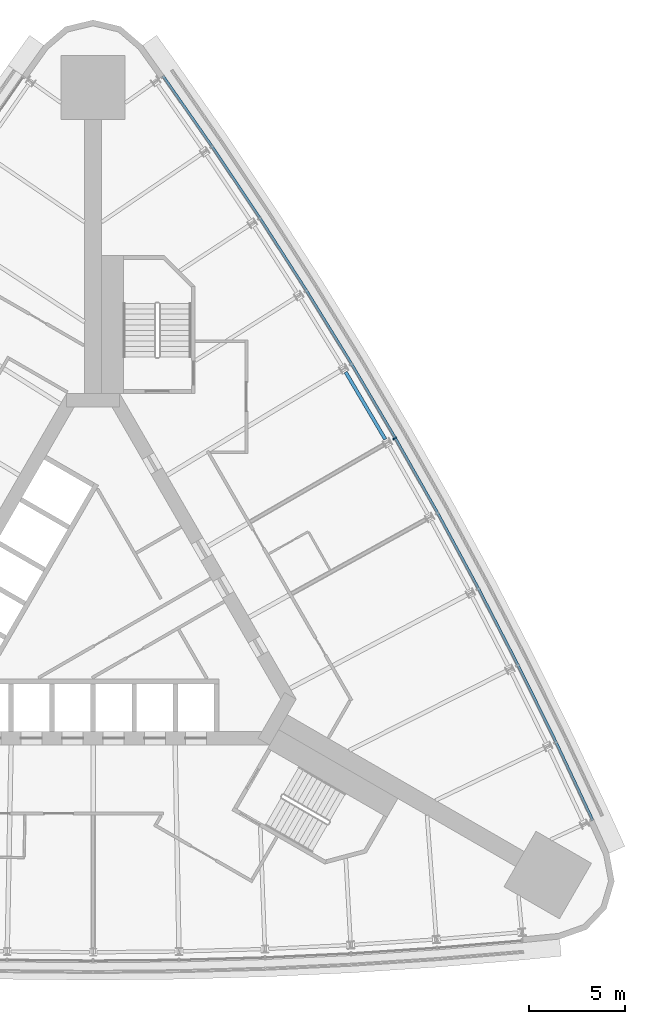
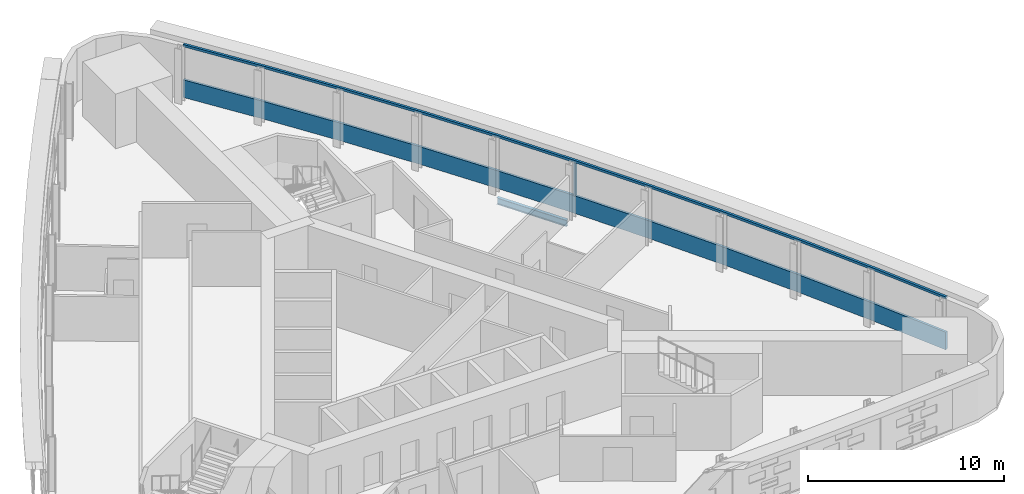
# One storey, part 7 of 14: 3 members, 1 beam, 1 element without a shape of its own.
"""IFC4 building model written with IfcOpenShell, lengths in metres."""

from ifc_helpers import new_model, si_unit, direction, frame, origin, origin_2d, place, context, subcontext, project, spatial, polyline, rectangle, i_section, outline, extrude, material, material_profile, profile_set, type_object, element, aggregate, save


model = new_model("IFC4")

# Units and contexts
model_context = context("Model", 3, precision=1e-05, world=origin(), true_north=direction((0.0, 1.0)))
body_context = subcontext(model_context, "Body", "Model", "MODEL_VIEW")
ifc_project = project(units=[si_unit("LENGTHUNIT", "METRE"), si_unit("AREAUNIT", "SQUARE_METRE"), si_unit("VOLUMEUNIT", "CUBIC_METRE"), si_unit("PLANEANGLEUNIT", "RADIAN"), si_unit("MASSUNIT", "GRAM", prefix="KILO")], contexts=[model_context])

# Site, building, storey
site_placement = place(None, origin())
site = spatial("IfcSite", under=ifc_project, at=site_placement, CompositionType="ELEMENT")
building_placement = place(site_placement, origin())
building = spatial("IfcBuilding", under=site, at=building_placement, Name="Noor Cloister Tower", CompositionType="ELEMENT")
storey_placement = place(building_placement, frame((0.0, 0.0, 42.0)))
storey = spatial("IfcBuildingStorey", under=building, at=storey_placement, Name="L10", CompositionType="ELEMENT", Elevation=42.0)

# Curtain wall, members
ifc_material_1 = material(Name="Aluminium 6063-T6 anodised", Category="aluminium")
curtain_wall_type = type_object("IfcCurtainWallType", Name="Ribbon curtain wall, lower tower CW1", PredefinedType="NOTDEFINED", material=ifc_material_1)
curtain_wall_placement = place(storey_placement, origin())
curtain_wall = element("IfcCurtainWall", 1, at=curtain_wall_placement, inside=storey, type_object=curtain_wall_type, Name="CW1 L10 NE run 3", PredefinedType="NOTDEFINED")
ifc_material_2 = material(Name="Aluminium 6063-T6 anodised", Category="aluminium")
member_type_1 = type_object("IfcMemberType", Name="Head transom CW1 150", PredefinedType="USERDEFINED", material=ifc_material_2)
member_1_placement = place(storey_placement, frame((0.0, 0.0, 3.14990234375)))
member_1 = element("IfcMember", 2, at=member_1_placement, type_object=member_type_1, Name="CW1 head transom", ObjectType="TRANSOM", PredefinedType="USERDEFINED", context=body_context, shape_type="SweptSolid", body=[
    extrude(outline(polyline([(26.176025390625, -10.830078125), (24.26220703125, -6.75732421875), (22.272216796875, -2.721435546875), (20.207275390625, 1.27685546875), (18.067626953125, 5.2353515625), (15.854248046875, 9.1533203125), (13.56787109375, 13.029296875), (11.209228515625, 16.861572265625), (8.779296875, 20.64892578125), (6.279052734375, 24.390380859375), (3.708984375, 28.084228515625), (3.593994140625, 28.004150390625), (6.163330078125, 24.3115234375), (8.662353515625, 20.572265625), (11.0908203125, 16.787109375), (13.447998046875, 12.95703125), (15.73291015625, 9.08349609375), (17.945068359375, 5.167724609375), (20.08349609375, 1.21142578125), (22.147216796875, -2.784423828125), (24.135986328125, -6.818115234375), (26.04931640625, -10.8896484375), (26.176025390625, -10.830078125)])), origin(), (0.0, 0.0, 1.0), 0.150146484375),
])
ifc_material_3 = material(Name="Aluminium 6063-T6 anodised", Category="aluminium")
ifc_material_profile_1 = material_profile(ifc_material_3, rectangle(XDim=0.199951171875, YDim=0.080078125, at=origin_2d()), Name="200 x 80 mullion")
ifc_profile_set_1 = profile_set([ifc_material_profile_1], Name="Aluminium 6063-T6 anodised")
member_type_2 = type_object("IfcMemberType", Name="Mullion CW1 80 x 200", PredefinedType="MULLION", material=ifc_profile_set_1)
member_2_placement = place(storey_placement, frame((15.767578125, 9.103515625, 1.10009765625), z_axis=(0.0, 0.0, 1.0), x_axis=(-0.866025403784, -0.5, 0.0)))
member_2 = element("IfcMember", 3, at=member_2_placement, type_object=member_type_2, Name="CW1 mullion 6", PredefinedType="MULLION", context=body_context, shape_type="SweptSolid", body=[
    extrude(rectangle(XDim=0.199951171875, YDim=0.080078125, at=origin_2d()), origin(), (0.0, 0.0, 1.0), 2.0498046875),
])
ifc_material_4 = material(Name="Aluminium 6063-T6 anodised", Category="aluminium")
member_type_3 = type_object("IfcMemberType", Name="Sill transom CW1 1100", PredefinedType="USERDEFINED", material=ifc_material_4)
member_3_placement = place(storey_placement, origin())
member_3 = element("IfcMember", 4, at=member_3_placement, type_object=member_type_3, Name="CW1 sill transom", ObjectType="TRANSOM", PredefinedType="USERDEFINED", context=body_context, shape_type="SweptSolid", body=[
    extrude(outline(polyline([(26.176025390625, -10.830078125), (24.26220703125, -6.75732421875), (22.272216796875, -2.721435546875), (20.207275390625, 1.27685546875), (18.067626953125, 5.2353515625), (15.854248046875, 9.1533203125), (13.56787109375, 13.029296875), (11.209228515625, 16.861572265625), (8.779296875, 20.64892578125), (6.279052734375, 24.390380859375), (3.708984375, 28.084228515625), (3.593994140625, 28.004150390625), (6.163330078125, 24.3115234375), (8.662353515625, 20.572265625), (11.0908203125, 16.787109375), (13.447998046875, 12.95703125), (15.73291015625, 9.08349609375), (17.945068359375, 5.167724609375), (20.08349609375, 1.21142578125), (22.147216796875, -2.784423828125), (24.135986328125, -6.818115234375), (26.04931640625, -10.8896484375), (26.176025390625, -10.830078125)])), origin(), (0.0, 0.0, 1.0), 1.10009765625),
])
aggregate(curtain_wall, [member_2, member_3, member_1])

# Beam
ifc_material_5 = material(Name="Steel ASTM A992 Gr 50", Category="steel")
ifc_material_profile_2 = material_profile(ifc_material_5, i_section(OverallWidth=0.177978515625, OverallDepth=0.406005859375, WebThickness=0.0078125, FlangeThickness=0.0126953125, FilletRadius=0.01025390625, at=origin_2d()), Name="W410x60")
ifc_profile_set_2 = profile_set([ifc_material_profile_2], Name="Steel ASTM A992 Gr 50")
beam_type = type_object("IfcBeamType", Name="Spandrel beam W410x60", PredefinedType="SPANDREL", material=ifc_profile_set_2)
beam_placement = place(storey_placement, frame((15.275146484375, 9.052490234375, -0.403076171875), z_axis=(-0.508074831261, 0.861312931424, 0.0), x_axis=(-0.861312931424, -0.508074831261, 0.0)))
element("IfcBeam", 5, at=beam_placement, inside=storey, type_object=beam_type, Name="Spandrel beam NE 06 L10", PredefinedType="SPANDREL", context=body_context, shape_type="SweptSolid", body=[
    extrude(i_section(OverallWidth=0.177978515625, OverallDepth=0.406005859375, WebThickness=0.0078125, FlangeThickness=0.0126953125, FilletRadius=0.01025390625, at=origin_2d()), origin(), (0.0, 0.0, 1.0), 4.08544921875),
])

save(model, "model.ifc")
